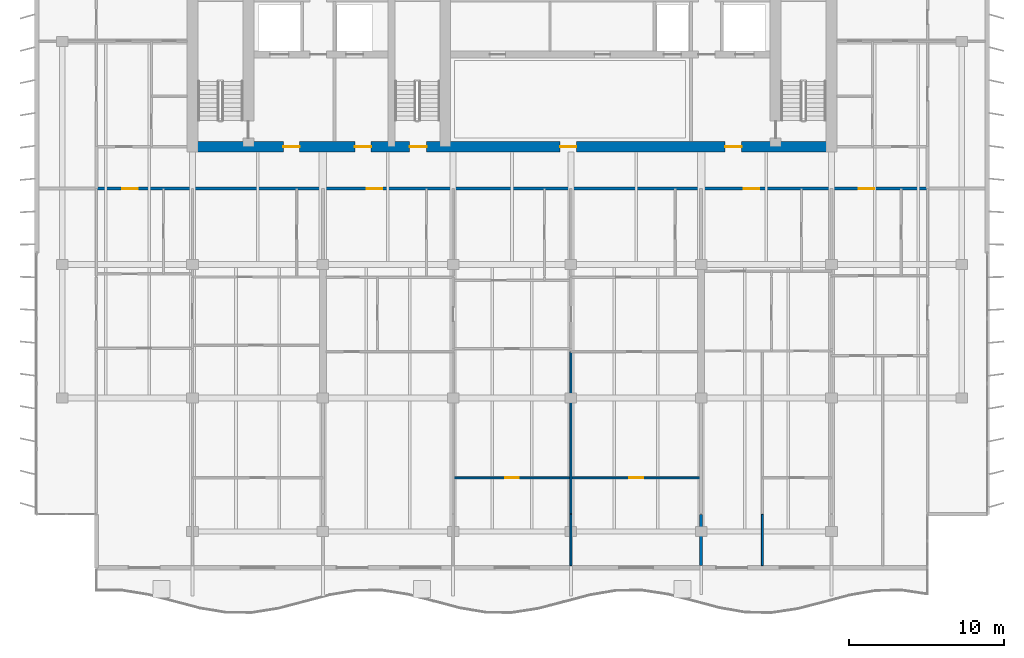
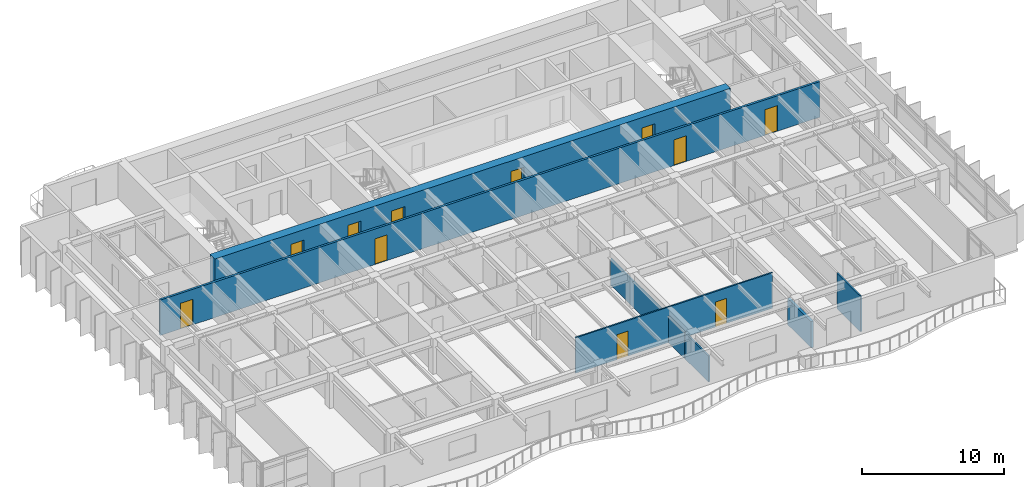
# One storey, part 9 of 19: 11 doors, 7 walls, 11 openings.
"""IFC4 building model written with IfcOpenShell, lengths in metres."""

from ifc_helpers import new_model, si_unit, direction, frame, frame_2d, origin, place, context, subcontext, project, spatial, rectangle, extrude, material, layer, layer_set, type_object, element, fill, save


model = new_model("IFC4")

# Units and contexts
model_context = context("Model", 3, precision=1e-05, world=origin(), true_north=direction((0.0, 1.0)))
body_context = subcontext(model_context, "Body", "Model", "MODEL_VIEW")
ifc_project = project(units=[si_unit("LENGTHUNIT", "METRE"), si_unit("AREAUNIT", "SQUARE_METRE"), si_unit("VOLUMEUNIT", "CUBIC_METRE"), si_unit("PLANEANGLEUNIT", "RADIAN"), si_unit("MASSUNIT", "GRAM", prefix="KILO")], contexts=[model_context])

# Site, building, storey
site_placement = place(None, origin())
site = spatial("IfcSite", under=ifc_project, at=site_placement, CompositionType="ELEMENT")
building_placement = place(site_placement, origin())
building = spatial("IfcBuilding", under=site, at=building_placement, Name="Caelmar Bay Residences", CompositionType="ELEMENT")
storey_placement = place(building_placement, frame((0.0, 0.0, 256.199951171875)))
storey = spatial("IfcBuildingStorey", under=building, at=storey_placement, Name="L72", CompositionType="ELEMENT", Elevation=256.199951171875)

# Wall, openings, doors
ifc_material_1 = material(Name="Concrete f'c 55 MPa (8,000 psi)", Category="concrete")
ifc_layer_1 = layer(ifc_material_1, 0.699951171875)
ifc_layer_set_1 = layer_set([ifc_layer_1], Name="Concrete f'c 55 MPa (8,000 psi)")
wall_type_1 = type_object("IfcWallType", Name="SW-COR-700", PredefinedType="SHEAR", material=ifc_layer_set_1)
wall_1_placement = place(storey_placement, frame((17.949951171875, 37.0, 0.0), z_axis=(0.0, 0.0, 1.0), x_axis=(1.0, 0.0, 0.0)))
wall_1 = element("IfcWall", 1, at=wall_1_placement, inside=storey, type_object=wall_type_1, Name="L72 Rear Core South Shear Wall", PredefinedType="SHEAR", context=body_context, shape_type="SweptSolid", body=[
    extrude(rectangle(XDim=41.900146484375, YDim=0.699951171875, at=frame_2d((20.9501953125, 0.0))), origin(), (0.0, 0.0, 1.0), 3.050048828125),
])
opening_1_placement = place(wall_1_placement, frame((14.35009765625, 0.0, 0.0)))
opening_1 = element("IfcOpeningElement", 2, at=opening_1_placement, cuts=wall_1, Name="Opening D-L72-105", PredefinedType="OPENING", context=body_context, shape_type="SweptSolid", body=[
    extrude(rectangle(XDim=1.10009765625, YDim=2.14990234375, at=frame_2d((0.550048828125, 1.074951171875))), frame((0.0, 0.35986328125, 0.0), z_axis=(0.0, -1.0, 0.0), x_axis=(1.0, 0.0, 0.0)), (0.0, 0.0, 1.0), 0.719970703125),
])
opening_2_placement = place(wall_1_placement, frame((6.199951171875, 0.0, 0.0)))
opening_2 = element("IfcOpeningElement", 3, at=opening_2_placement, cuts=wall_1, Name="Opening D-L72-106", PredefinedType="OPENING", context=body_context, shape_type="SweptSolid", body=[
    extrude(rectangle(XDim=1.050048828125, YDim=2.14990234375, at=frame_2d((0.52490234375, 1.074951171875))), frame((0.0, 0.35986328125, 0.0), z_axis=(0.0, -1.0, 0.0), x_axis=(1.0, 0.0, 0.0)), (0.0, 0.0, 1.0), 0.719970703125),
])
opening_3_placement = place(wall_1_placement, frame((34.699951171875, 0.0, 0.0)))
opening_3 = element("IfcOpeningElement", 4, at=opening_3_placement, cuts=wall_1, Name="Opening D-L72-109", PredefinedType="OPENING", context=body_context, shape_type="SweptSolid", body=[
    extrude(rectangle(XDim=1.050048828125, YDim=2.14990234375, at=frame_2d((0.52490234375, 1.074951171875))), frame((0.0, 0.35986328125, 0.0), z_axis=(0.0, -1.0, 0.0), x_axis=(1.0, 0.0, 0.0)), (0.0, 0.0, 1.0), 0.719970703125),
])
opening_4_placement = place(wall_1_placement, frame((10.8125, 0.0, 0.0)))
opening_4 = element("IfcOpeningElement", 5, at=opening_4_placement, cuts=wall_1, Name="Opening D-L72-112", PredefinedType="OPENING", context=body_context, shape_type="SweptSolid", body=[
    extrude(rectangle(XDim=1.050048828125, YDim=2.14990234375, at=frame_2d((0.52490234375, 1.074951171875))), frame((0.0, 0.35986328125, 0.0), z_axis=(0.0, -1.0, 0.0), x_axis=(1.0, 0.0, 0.0)), (0.0, 0.0, 1.0), 0.719970703125),
])
opening_5_placement = place(wall_1_placement, frame((24.050048828125, 0.0, 0.0)))
opening_5 = element("IfcOpeningElement", 6, at=opening_5_placement, cuts=wall_1, Name="Opening D-L72-113", PredefinedType="OPENING", context=body_context, shape_type="SweptSolid", body=[
    extrude(rectangle(XDim=1.050048828125, YDim=2.14990234375, at=frame_2d((0.52490234375, 1.074951171875))), frame((0.0, 0.35986328125, 0.0), z_axis=(0.0, -1.0, 0.0), x_axis=(1.0, 0.0, 0.0)), (0.0, 0.0, 1.0), 0.719970703125),
])
ifc_material_2 = material(Name="Fire-rated steel and walnut architectural door assembly", Category="steel")
ifc_layer_2 = layer(ifc_material_2, 0.050048828125)
ifc_layer_set_2 = layer_set([ifc_layer_2], Name="Fire-rated steel and walnut architectural door assembly")
door_type_1 = type_object("IfcDoorType", Name="D-FSAE-1050", OperationType="NOTDEFINED", PredefinedType="DOOR", material=ifc_layer_set_2)
door_1_placement = place(opening_2_placement, origin())
door_1 = element("IfcDoor", 7, at=door_1_placement, inside=storey, type_object=door_type_1, Name="L72 Firefighting Lobby West Door", OperationType="SINGLE_SWING_RIGHT", OverallHeight=2.14990234375, OverallWidth=1.050048828125, PredefinedType="DOOR", context=body_context, shape_type="SweptSolid", body=[
    extrude(rectangle(XDim=1.050048828125, YDim=2.14990234375, at=frame_2d((0.52490234375, 1.074951171875))), frame((0.0, 0.02490234375, 0.0), z_axis=(0.0, -1.0, 0.0), x_axis=(1.0, 0.0, 0.0)), (0.0, 0.0, 1.0), 0.050048828125),
])
fill(opening_2, door_1)
door_2_placement = place(opening_3_placement, origin())
door_2 = element("IfcDoor", 8, at=door_2_placement, inside=storey, type_object=door_type_1, Name="L72 Firefighting Lobby East Door", OperationType="SINGLE_SWING_LEFT", OverallHeight=2.14990234375, OverallWidth=1.050048828125, PredefinedType="DOOR", context=body_context, shape_type="SweptSolid", body=[
    extrude(rectangle(XDim=1.050048828125, YDim=2.14990234375, at=frame_2d((0.52490234375, 1.074951171875))), frame((0.0, 0.02490234375, 0.0), z_axis=(0.0, -1.0, 0.0), x_axis=(1.0, 0.0, 0.0)), (0.0, 0.0, 1.0), 0.050048828125),
])
fill(opening_3, door_2)
door_3_placement = place(opening_4_placement, origin())
door_3 = element("IfcDoor", 9, at=door_3_placement, inside=storey, type_object=door_type_1, Name="L72 West Lift Lobby Door", OperationType="SINGLE_SWING_RIGHT", OverallHeight=2.14990234375, OverallWidth=1.050048828125, PredefinedType="DOOR", context=body_context, shape_type="SweptSolid", body=[
    extrude(rectangle(XDim=1.050048828125, YDim=2.14990234375, at=frame_2d((0.52490234375, 1.074951171875))), frame((0.0, 0.02490234375, 0.0), z_axis=(0.0, -1.0, 0.0), x_axis=(1.0, 0.0, 0.0)), (0.0, 0.0, 1.0), 0.050048828125),
])
fill(opening_4, door_3)
door_4_placement = place(opening_5_placement, origin())
door_4 = element("IfcDoor", 10, at=door_4_placement, inside=storey, type_object=door_type_1, Name="L72 Passenger Lift Lobby Door", OperationType="SINGLE_SWING_LEFT", OverallHeight=2.14990234375, OverallWidth=1.050048828125, PredefinedType="DOOR", context=body_context, shape_type="SweptSolid", body=[
    extrude(rectangle(XDim=1.050048828125, YDim=2.14990234375, at=frame_2d((0.52490234375, 1.074951171875))), frame((0.0, 0.02490234375, 0.0), z_axis=(0.0, -1.0, 0.0), x_axis=(1.0, 0.0, 0.0)), (0.0, 0.0, 1.0), 0.050048828125),
])
fill(opening_5, door_4)
ifc_layer_3 = layer(ifc_material_2, 0.050048828125)
ifc_layer_set_3 = layer_set([ifc_layer_3], Name="Fire-rated steel and walnut architectural door assembly")
door_type_2 = type_object("IfcDoorType", Name="D-STAIR-1100", OperationType="NOTDEFINED", PredefinedType="DOOR", material=ifc_layer_set_3)
door_5_placement = place(opening_1_placement, origin())
door_5 = element("IfcDoor", 11, at=door_5_placement, inside=storey, type_object=door_type_2, Name="L72 Exit Stair ST3 Door", OperationType="SINGLE_SWING_LEFT", OverallHeight=2.14990234375, OverallWidth=1.10009765625, PredefinedType="DOOR", context=body_context, shape_type="SweptSolid", body=[
    extrude(rectangle(XDim=1.10009765625, YDim=2.14990234375, at=frame_2d((0.550048828125, 1.074951171875))), frame((0.0, 0.02490234375, 0.0), z_axis=(0.0, -1.0, 0.0), x_axis=(1.0, 0.0, 0.0)), (0.0, 0.0, 1.0), 0.050048828125),
])
fill(opening_1, door_5)

ifc_material_3 = material(Name="Double-stud acoustic fire-rated gypsum partition 180 mm")
ifc_layer_4 = layer(ifc_material_3, 0.179931640625)
ifc_layer_set_4 = layer_set([ifc_layer_4], Name="Double-stud acoustic fire-rated gypsum partition 180 mm")
wall_type_2 = type_object("IfcWallType", Name="W-COR-200", PredefinedType="PARTITIONING", material=ifc_layer_set_4)
wall_2_placement = place(storey_placement, frame((12.10498046875, 34.300048828125, 0.0), z_axis=(0.0, 0.0, 1.0), x_axis=(1.0, 0.0, 0.0)))
wall_2 = element("IfcWall", 12, at=wall_2_placement, inside=storey, type_object=wall_type_2, Name="L72 Partition Wall H087", PredefinedType="PARTITIONING", context=body_context, shape_type="SweptSolid", body=[
    extrude(rectangle(XDim=53.594970703125, YDim=0.179931640625, at=frame_2d((26.79736328125, 0.0))), origin(), (0.0, 0.0, 1.0), 3.050048828125),
])
opening_6_placement = place(wall_2_placement, frame((1.660888671875, 0.0, 0.0)))
opening_6 = element("IfcOpeningElement", 13, at=opening_6_placement, cuts=wall_2, Name="Opening D-L72-120", PredefinedType="OPENING", context=body_context, shape_type="SweptSolid", body=[
    extrude(rectangle(XDim=1.0, YDim=2.199951171875, at=frame_2d((0.5, 1.10009765625))), frame((0.0, 0.099853515625, 0.0), z_axis=(0.0, -1.0, 0.0), x_axis=(1.0, 0.0, 0.0)), (0.0, 0.0, 1.0), 0.199951171875),
])
opening_7_placement = place(wall_2_placement, frame((17.4384765625, 0.0, 0.0)))
opening_7 = element("IfcOpeningElement", 14, at=opening_7_placement, cuts=wall_2, Name="Opening D-L72-129", PredefinedType="OPENING", context=body_context, shape_type="SweptSolid", body=[
    extrude(rectangle(XDim=1.0, YDim=2.199951171875, at=frame_2d((0.5, 1.10009765625))), frame((0.0, 0.099853515625, 0.0), z_axis=(0.0, -1.0, 0.0), x_axis=(1.0, 0.0, 0.0)), (0.0, 0.0, 1.0), 0.199951171875),
])
opening_8_placement = place(wall_2_placement, frame((41.72705078125, 0.0, 0.0)))
opening_8 = element("IfcOpeningElement", 15, at=opening_8_placement, cuts=wall_2, Name="Opening D-L72-144", PredefinedType="OPENING", context=body_context, shape_type="SweptSolid", body=[
    extrude(rectangle(XDim=1.0, YDim=2.199951171875, at=frame_2d((0.5, 1.10009765625))), frame((0.0, 0.099853515625, 0.0), z_axis=(0.0, -1.0, 0.0), x_axis=(1.0, 0.0, 0.0)), (0.0, 0.0, 1.0), 0.199951171875),
])
opening_9_placement = place(wall_2_placement, frame((49.14111328125, 0.0, 0.0)))
opening_9 = element("IfcOpeningElement", 16, at=opening_9_placement, cuts=wall_2, Name="Opening D-L72-151", PredefinedType="OPENING", context=body_context, shape_type="SweptSolid", body=[
    extrude(rectangle(XDim=1.0, YDim=2.199951171875, at=frame_2d((0.5, 1.10009765625))), frame((0.0, 0.099853515625, 0.0), z_axis=(0.0, -1.0, 0.0), x_axis=(1.0, 0.0, 0.0)), (0.0, 0.0, 1.0), 0.199951171875),
])
ifc_layer_5 = layer(ifc_material_2, 0.050048828125)
ifc_layer_set_5 = layer_set([ifc_layer_5], Name="Fire-rated steel and walnut architectural door assembly")
door_type_3 = type_object("IfcDoorType", Name="D-UNIT-1000", OperationType="NOTDEFINED", PredefinedType="DOOR", material=ifc_layer_set_5)
door_6_placement = place(opening_6_placement, origin())
door_6 = element("IfcDoor", 17, at=door_6_placement, inside=storey, type_object=door_type_3, Name="L72 Residence 01 Apartment Hall Door", OperationType="SINGLE_SWING_RIGHT", OverallHeight=2.199951171875, OverallWidth=1.0, PredefinedType="DOOR", context=body_context, shape_type="SweptSolid", body=[
    extrude(rectangle(XDim=1.0, YDim=2.199951171875, at=frame_2d((0.5, 1.10009765625))), frame((0.0, 0.02490234375, 0.0), z_axis=(0.0, -1.0, 0.0), x_axis=(1.0, 0.0, 0.0)), (0.0, 0.0, 1.0), 0.050048828125),
])
fill(opening_6, door_6)
door_7_placement = place(opening_7_placement, origin())
door_7 = element("IfcDoor", 18, at=door_7_placement, inside=storey, type_object=door_type_3, Name="L72 Residence 02 Apartment Hall Door", OperationType="SINGLE_SWING_LEFT", OverallHeight=2.199951171875, OverallWidth=1.0, PredefinedType="DOOR", context=body_context, shape_type="SweptSolid", body=[
    extrude(rectangle(XDim=1.0, YDim=2.199951171875, at=frame_2d((0.5, 1.10009765625))), frame((0.0, 0.02490234375, 0.0), z_axis=(0.0, -1.0, 0.0), x_axis=(1.0, 0.0, 0.0)), (0.0, 0.0, 1.0), 0.050048828125),
])
fill(opening_7, door_7)
door_8_placement = place(opening_8_placement, origin())
door_8 = element("IfcDoor", 19, at=door_8_placement, inside=storey, type_object=door_type_3, Name="L72 Residence 03 Apartment Hall Door", OperationType="SINGLE_SWING_RIGHT", OverallHeight=2.199951171875, OverallWidth=1.0, PredefinedType="DOOR", context=body_context, shape_type="SweptSolid", body=[
    extrude(rectangle(XDim=1.0, YDim=2.199951171875, at=frame_2d((0.5, 1.10009765625))), frame((0.0, 0.02490234375, 0.0), z_axis=(0.0, -1.0, 0.0), x_axis=(1.0, 0.0, 0.0)), (0.0, 0.0, 1.0), 0.050048828125),
])
fill(opening_8, door_8)
door_9_placement = place(opening_9_placement, origin())
door_9 = element("IfcDoor", 20, at=door_9_placement, inside=storey, type_object=door_type_3, Name="L72 Residence 04 Apartment Hall Door", OperationType="SINGLE_SWING_LEFT", OverallHeight=2.199951171875, OverallWidth=1.0, PredefinedType="DOOR", context=body_context, shape_type="SweptSolid", body=[
    extrude(rectangle(XDim=1.0, YDim=2.199951171875, at=frame_2d((0.5, 1.10009765625))), frame((0.0, 0.02490234375, 0.0), z_axis=(0.0, -1.0, 0.0), x_axis=(1.0, 0.0, 0.0)), (0.0, 0.0, 1.0), 0.050048828125),
])
fill(opening_9, door_9)

# Walls
ifc_material_4 = material(Name="Acoustic metal-stud gypsum partition 120 mm")
ifc_layer_6 = layer(ifc_material_4, 0.1201171875)
ifc_layer_set_6 = layer_set([ifc_layer_6], Name="Acoustic metal-stud gypsum partition 120 mm")
wall_type_3 = type_object("IfcWallType", Name="W-PRT-120", PredefinedType="PARTITIONING", material=ifc_layer_set_6)
wall_3_placement = place(storey_placement, frame((42.699951171875, 9.9951171875, 0.0), z_axis=(0.0, 0.0, 1.0), x_axis=(0.0, 1.0, 0.0)))
element("IfcWall", 21, at=wall_3_placement, inside=storey, type_object=wall_type_3, Name="L72 Partition Wall V034", PredefinedType="PARTITIONING", context=body_context, shape_type="SweptSolid", body=[
    extrude(rectangle(XDim=3.304931640625, YDim=0.1201171875, at=frame_2d((1.65234375, 0.0))), origin(), (0.0, 0.0, 1.0), 2.262939453125),
])
wall_4_placement = place(storey_placement, frame((42.699951171875, 13.340087890625, 0.0), z_axis=(0.0, 0.0, 1.0), x_axis=(0.0, 1.0, 0.0)))
element("IfcWall", 22, at=wall_4_placement, inside=storey, type_object=wall_type_3, Name="L72 Partition Wall V035", PredefinedType="PARTITIONING", context=body_context, shape_type="SweptSolid", body=[
    extrude(rectangle(XDim=10.43994140625, YDim=0.1201171875, at=frame_2d((5.219970703125, 0.0))), origin(), (0.0, 0.0, 1.0), 2.262939453125),
])
wall_5_placement = place(storey_placement, frame((55.048095703125, 9.9951171875, 0.0), z_axis=(0.0, 0.0, 1.0), x_axis=(0.0, 1.0, 0.0)))
element("IfcWall", 23, at=wall_5_placement, inside=storey, type_object=wall_type_3, Name="L72 Partition Wall V047", PredefinedType="PARTITIONING", context=body_context, shape_type="SweptSolid", body=[
    extrude(rectangle(XDim=3.304931640625, YDim=0.1201171875, at=frame_2d((1.65234375, 0.0))), origin(), (0.0, 0.0, 1.0), 3.050048828125),
])

# Wall, openings, doors
wall_6_placement = place(storey_placement, frame((35.10009765625, 15.64990234375, 0.0), z_axis=(0.0, 0.0, 1.0), x_axis=(1.0, 0.0, 0.0)))
wall_6 = element("IfcWall", 24, at=wall_6_placement, inside=storey, type_object=wall_type_3, Name="L72 Partition Wall H070", PredefinedType="PARTITIONING", context=body_context, shape_type="SweptSolid", body=[
    extrude(rectangle(XDim=16.0, YDim=0.1201171875, at=frame_2d((8.0, 0.0))), origin(), (0.0, 0.0, 1.0), 3.050048828125),
])
opening_10_placement = place(wall_6_placement, frame((3.35009765625, 0.0, 0.0)))
opening_10 = element("IfcOpeningElement", 25, at=opening_10_placement, cuts=wall_6, Name="Opening D-L72-138", PredefinedType="OPENING", context=body_context, shape_type="SweptSolid", body=[
    extrude(rectangle(XDim=0.89990234375, YDim=2.14990234375, at=frame_2d((0.449951171875, 1.074951171875))), frame((0.0, 0.070068359375, 0.0), z_axis=(0.0, -1.0, 0.0), x_axis=(1.0, 0.0, 0.0)), (0.0, 0.0, 1.0), 0.14013671875),
])
opening_11_placement = place(wall_6_placement, frame((11.35009765625, 0.0, 0.0)))
opening_11 = element("IfcOpeningElement", 26, at=opening_11_placement, cuts=wall_6, Name="Opening D-L72-143", PredefinedType="OPENING", context=body_context, shape_type="SweptSolid", body=[
    extrude(rectangle(XDim=0.89990234375, YDim=2.14990234375, at=frame_2d((0.449951171875, 1.074951171875))), frame((0.0, 0.070068359375, 0.0), z_axis=(0.0, -1.0, 0.0), x_axis=(1.0, 0.0, 0.0)), (0.0, 0.0, 1.0), 0.14013671875),
])
ifc_material_5 = material(Name="Solid walnut timber interior door leaf and frame", Category="wood")
ifc_layer_7 = layer(ifc_material_5, 0.050048828125)
ifc_layer_set_7 = layer_set([ifc_layer_7], Name="Solid walnut timber interior door leaf and frame")
door_type_4 = type_object("IfcDoorType", Name="D-ROOM-900", OperationType="NOTDEFINED", PredefinedType="DOOR", material=ifc_layer_set_7)
door_10_placement = place(opening_10_placement, origin())
door_10 = element("IfcDoor", 27, at=door_10_placement, inside=storey, type_object=door_type_4, Name="L72 Residence 02 Primary Bedroom 1 Door", OperationType="SINGLE_SWING_RIGHT", OverallHeight=2.14990234375, OverallWidth=0.89990234375, PredefinedType="DOOR", context=body_context, shape_type="SweptSolid", body=[
    extrude(rectangle(XDim=0.89990234375, YDim=2.14990234375, at=frame_2d((0.449951171875, 1.074951171875))), frame((0.0, 0.02490234375, 0.0), z_axis=(0.0, -1.0, 0.0), x_axis=(1.0, 0.0, 0.0)), (0.0, 0.0, 1.0), 0.050048828125),
])
fill(opening_10, door_10)
door_11_placement = place(opening_11_placement, origin())
door_11 = element("IfcDoor", 28, at=door_11_placement, inside=storey, type_object=door_type_4, Name="L72 Residence 02 Primary Bedroom 2 Door", OperationType="SINGLE_SWING_LEFT", OverallHeight=2.14990234375, OverallWidth=0.89990234375, PredefinedType="DOOR", context=body_context, shape_type="SweptSolid", body=[
    extrude(rectangle(XDim=0.89990234375, YDim=2.14990234375, at=frame_2d((0.449951171875, 1.074951171875))), frame((0.0, 0.02490234375, 0.0), z_axis=(0.0, -1.0, 0.0), x_axis=(1.0, 0.0, 0.0)), (0.0, 0.0, 1.0), 0.050048828125),
])
fill(opening_11, door_11)

# Wall
ifc_material_6 = material(Name="Acoustic twin-stud fire-rated inter-tenancy partition 200 mm")
ifc_layer_8 = layer(ifc_material_6, 0.199951171875)
ifc_layer_set_8 = layer_set([ifc_layer_8], Name="Acoustic twin-stud fire-rated inter-tenancy partition 200 mm")
wall_type_4 = type_object("IfcWallType", Name="W-PTY-200", PredefinedType="PARTITIONING", material=ifc_layer_set_8)
wall_7_placement = place(storey_placement, frame((51.10009765625, 9.9951171875, 0.0), z_axis=(0.0, 0.0, 1.0), x_axis=(0.0, 1.0, 0.0)))
element("IfcWall", 29, at=wall_7_placement, inside=storey, type_object=wall_type_4, Name="L72 Partition Wall V043", PredefinedType="PARTITIONING", context=body_context, shape_type="SweptSolid", body=[
    extrude(rectangle(XDim=3.304931640625, YDim=0.199951171875, at=frame_2d((1.65234375, 0.0))), origin(), (0.0, 0.0, 1.0), 2.262939453125),
])

save(model, "model.ifc")
